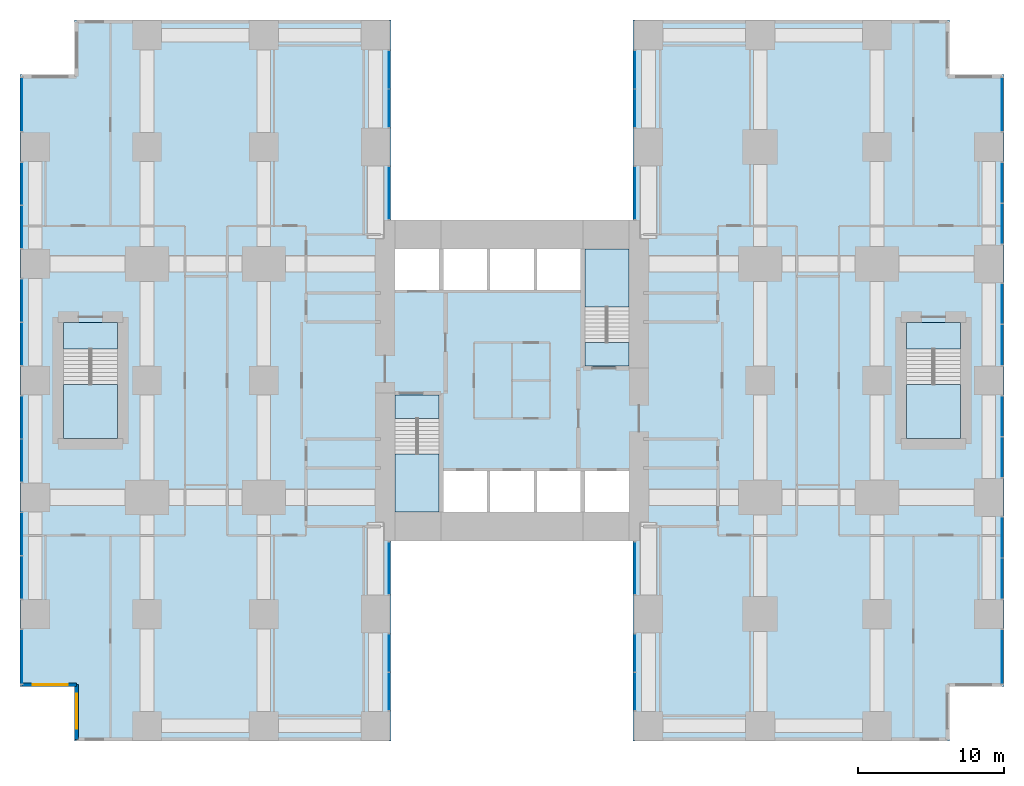
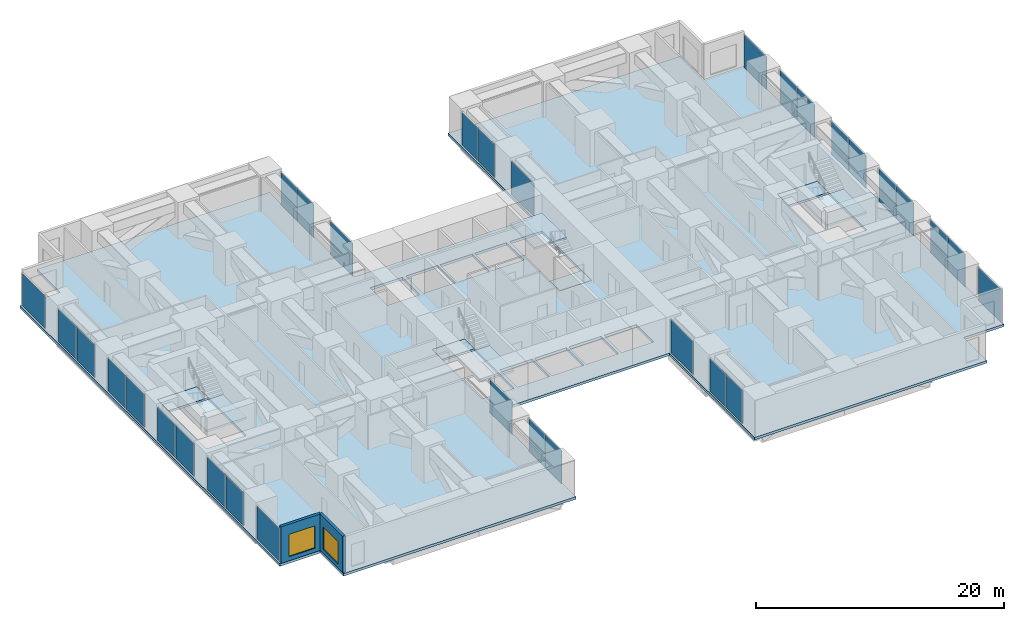
# One storey, part 9 of 15: 32 plates, 9 slabs, 2 walls, 2 windows, 2 openings, 24 elements without a shape of their own.
"""IFC4 building model written with IfcOpenShell, lengths in metres."""

from ifc_helpers import new_model, si_unit, direction, frame, frame_2d, origin, origin_2d, place, context, subcontext, project, spatial, polyline, rectangle, outline, extrude, material, layer, layer_set, type_object, element, fill, aggregate, save


model = new_model("IFC4")

# Units and contexts
model_context = context("Model", 3, precision=1e-05, world=origin(), true_north=direction((0.0, 1.0)))
body_context = subcontext(model_context, "Body", "Model", "MODEL_VIEW")
ifc_project = project(units=[si_unit("LENGTHUNIT", "METRE"), si_unit("AREAUNIT", "SQUARE_METRE"), si_unit("VOLUMEUNIT", "CUBIC_METRE"), si_unit("PLANEANGLEUNIT", "RADIAN"), si_unit("MASSUNIT", "GRAM", prefix="KILO")], contexts=[model_context])

# Site, building, storey
site_placement = place(None, origin())
site = spatial("IfcSite", under=ifc_project, at=site_placement, CompositionType="ELEMENT")
building_placement = place(site_placement, origin())
building = spatial("IfcBuilding", under=site, at=building_placement, Name="Cleftline Residences", CompositionType="ELEMENT")
storey_placement = place(building_placement, frame((0.0, 0.0, 132.199951171875)))
storey = spatial("IfcBuildingStorey", under=building, at=storey_placement, Name="L34", CompositionType="ELEMENT", Elevation=132.199951171875)

# Curtain wall, plates
ifc_material_1 = material(Name="Aluminium framed curtain wall", Category="aluminium")
ifc_layer_1 = layer(ifc_material_1, 0.199951171875)
ifc_layer_set_1 = layer_set([ifc_layer_1], Name="CW1 CLEFT GLAZING")
curtain_wall_type_1 = type_object("IfcCurtainWallType", Name="CW1 CLEFT GLAZING", PredefinedType="NOTDEFINED", material=ifc_layer_set_1)
curtain_wall_1_placement = place(storey_placement, origin())
curtain_wall_1 = element("IfcCurtainWall", 1, at=curtain_wall_1_placement, inside=storey, type_object=curtain_wall_type_1, Name="Curtain wall CW1", PredefinedType="NOTDEFINED")
ifc_material_2 = material(Name="Insulated aluminium panel", Category="aluminium")
ifc_layer_2 = layer(ifc_material_2, 0.028076171875)
ifc_layer_set_2 = layer_set([ifc_layer_2], Name="CW1 INSULATED PANEL")
plate_type_1 = type_object("IfcPlateType", Name="CW1 INSULATED PANEL", PredefinedType="USERDEFINED", material=ifc_layer_set_2)
plate_1_placement = place(storey_placement, frame((24.574951171875, 2.702392578125, 0.06005859375), z_axis=(0.0, 0.0, 1.0), x_axis=(0.0, 1.0, 0.0)))
plate_1 = element("IfcPlate", 2, at=plate_1_placement, type_object=plate_type_1, Name="CW1 panel 1.1", ObjectType="INSULATED PANEL", PredefinedType="USERDEFINED", context=body_context, shape_type="SweptSolid", body=[
    extrude(rectangle(XDim=2.5849609375, YDim=0.028076171875, at=origin_2d()), origin(), (0.0, 0.0, 1.0), 3.22998046875),
])
plate_2_placement = place(storey_placement, frame((24.574951171875, 5.347412109375, 0.06005859375), z_axis=(0.0, 0.0, 1.0), x_axis=(0.0, 1.0, 0.0)))
plate_2 = element("IfcPlate", 3, at=plate_2_placement, type_object=plate_type_1, Name="CW1 panel 2.1", ObjectType="INSULATED PANEL", PredefinedType="USERDEFINED", context=body_context, shape_type="SweptSolid", body=[
    extrude(rectangle(XDim=2.5849609375, YDim=0.028076171875, at=origin_2d()), origin(), (0.0, 0.0, 1.0), 3.22998046875),
])
aggregate(curtain_wall_1, [plate_1, plate_2])

# Curtain wall, plate
curtain_wall_2_placement = place(storey_placement, origin())
curtain_wall_2 = element("IfcCurtainWall", 4, at=curtain_wall_2_placement, inside=storey, type_object=curtain_wall_type_1, Name="Curtain wall CW1", PredefinedType="NOTDEFINED")
plate_3_placement = place(storey_placement, frame((24.574951171875, 11.14990234375, 0.06005859375), z_axis=(0.0, 0.0, 1.0), x_axis=(0.0, 1.0, 0.0)))
plate_3 = element("IfcPlate", 5, at=plate_3_placement, type_object=plate_type_1, Name="CW1 panel 1.1", ObjectType="INSULATED PANEL", PredefinedType="USERDEFINED", context=body_context, shape_type="SweptSolid", body=[
    extrude(rectangle(XDim=3.580078125, YDim=0.028076171875, at=origin_2d()), origin(), (0.0, 0.0, 1.0), 3.22998046875),
])
aggregate(curtain_wall_2, [plate_3])

curtain_wall_3_placement = place(storey_placement, origin())
curtain_wall_3 = element("IfcCurtainWall", 6, at=curtain_wall_3_placement, inside=storey, type_object=curtain_wall_type_1, Name="Curtain wall CW1", PredefinedType="NOTDEFINED")
plate_4_placement = place(storey_placement, frame((41.425048828125, 11.14990234375, 0.06005859375), z_axis=(0.0, 0.0, 1.0), x_axis=(0.0, -1.0, 0.0)))
plate_4 = element("IfcPlate", 7, at=plate_4_placement, type_object=plate_type_1, Name="CW1 panel 1.1", ObjectType="INSULATED PANEL", PredefinedType="USERDEFINED", context=body_context, shape_type="SweptSolid", body=[
    extrude(rectangle(XDim=3.580078125, YDim=0.028076171875, at=origin_2d()), origin(), (0.0, 0.0, 1.0), 3.22998046875),
])
aggregate(curtain_wall_3, [plate_4])

# Curtain wall, plates
curtain_wall_4_placement = place(storey_placement, origin())
curtain_wall_4 = element("IfcCurtainWall", 8, at=curtain_wall_4_placement, inside=storey, type_object=curtain_wall_type_1, Name="Curtain wall CW1", PredefinedType="NOTDEFINED")
plate_5_placement = place(storey_placement, frame((41.425048828125, 5.347412109375, 0.06005859375), z_axis=(0.0, 0.0, 1.0), x_axis=(0.0, -1.0, 0.0)))
plate_5 = element("IfcPlate", 9, at=plate_5_placement, type_object=plate_type_1, Name="CW1 panel 1.1", ObjectType="INSULATED PANEL", PredefinedType="USERDEFINED", context=body_context, shape_type="SweptSolid", body=[
    extrude(rectangle(XDim=2.5849609375, YDim=0.028076171875, at=origin_2d()), origin(), (0.0, 0.0, 1.0), 3.22998046875),
])
plate_6_placement = place(storey_placement, frame((41.425048828125, 2.702392578125, 0.06005859375), z_axis=(0.0, 0.0, 1.0), x_axis=(0.0, -1.0, 0.0)))
plate_6 = element("IfcPlate", 10, at=plate_6_placement, type_object=plate_type_1, Name="CW1 panel 2.1", ObjectType="INSULATED PANEL", PredefinedType="USERDEFINED", context=body_context, shape_type="SweptSolid", body=[
    extrude(rectangle(XDim=2.5849609375, YDim=0.028076171875, at=origin_2d()), origin(), (0.0, 0.0, 1.0), 3.22998046875),
])
aggregate(curtain_wall_4, [plate_5, plate_6])

curtain_wall_5_placement = place(storey_placement, origin())
curtain_wall_5 = element("IfcCurtainWall", 11, at=curtain_wall_5_placement, inside=storey, type_object=curtain_wall_type_1, Name="Curtain wall CW1", PredefinedType="NOTDEFINED")
plate_7_placement = place(storey_placement, frame((41.425048828125, 45.297607421875, 0.06005859375), z_axis=(0.0, 0.0, 1.0), x_axis=(0.0, -1.0, 0.0)))
plate_7 = element("IfcPlate", 12, at=plate_7_placement, type_object=plate_type_1, Name="CW1 panel 1.1", ObjectType="INSULATED PANEL", PredefinedType="USERDEFINED", context=body_context, shape_type="SweptSolid", body=[
    extrude(rectangle(XDim=2.5849609375, YDim=0.028076171875, at=origin_2d()), origin(), (0.0, 0.0, 1.0), 3.22998046875),
])
plate_8_placement = place(storey_placement, frame((41.425048828125, 42.652587890625, 0.06005859375), z_axis=(0.0, 0.0, 1.0), x_axis=(0.0, -1.0, 0.0)))
plate_8 = element("IfcPlate", 13, at=plate_8_placement, type_object=plate_type_1, Name="CW1 panel 2.1", ObjectType="INSULATED PANEL", PredefinedType="USERDEFINED", context=body_context, shape_type="SweptSolid", body=[
    extrude(rectangle(XDim=2.5849609375, YDim=0.028076171875, at=origin_2d()), origin(), (0.0, 0.0, 1.0), 3.22998046875),
])
aggregate(curtain_wall_5, [plate_7, plate_8])

# Curtain wall, plate
curtain_wall_6_placement = place(storey_placement, origin())
curtain_wall_6 = element("IfcCurtainWall", 14, at=curtain_wall_6_placement, inside=storey, type_object=curtain_wall_type_1, Name="Curtain wall CW1", PredefinedType="NOTDEFINED")
plate_9_placement = place(storey_placement, frame((41.425048828125, 36.85009765625, 0.06005859375), z_axis=(0.0, 0.0, 1.0), x_axis=(0.0, -1.0, 0.0)))
plate_9 = element("IfcPlate", 15, at=plate_9_placement, type_object=plate_type_1, Name="CW1 panel 1.1", ObjectType="INSULATED PANEL", PredefinedType="USERDEFINED", context=body_context, shape_type="SweptSolid", body=[
    extrude(rectangle(XDim=3.580078125, YDim=0.028076171875, at=origin_2d()), origin(), (0.0, 0.0, 1.0), 3.22998046875),
])
aggregate(curtain_wall_6, [plate_9])

curtain_wall_7_placement = place(storey_placement, origin())
curtain_wall_7 = element("IfcCurtainWall", 16, at=curtain_wall_7_placement, inside=storey, type_object=curtain_wall_type_1, Name="Curtain wall CW1", PredefinedType="NOTDEFINED")
plate_10_placement = place(storey_placement, frame((24.574951171875, 36.85009765625, 0.06005859375), z_axis=(0.0, 0.0, 1.0), x_axis=(0.0, 1.0, 0.0)))
plate_10 = element("IfcPlate", 17, at=plate_10_placement, type_object=plate_type_1, Name="CW1 panel 1.1", ObjectType="INSULATED PANEL", PredefinedType="USERDEFINED", context=body_context, shape_type="SweptSolid", body=[
    extrude(rectangle(XDim=3.580078125, YDim=0.028076171875, at=origin_2d()), origin(), (0.0, 0.0, 1.0), 3.22998046875),
])
aggregate(curtain_wall_7, [plate_10])

# Curtain wall, plates
curtain_wall_8_placement = place(storey_placement, origin())
curtain_wall_8 = element("IfcCurtainWall", 18, at=curtain_wall_8_placement, inside=storey, type_object=curtain_wall_type_1, Name="Curtain wall CW1", PredefinedType="NOTDEFINED")
plate_11_placement = place(storey_placement, frame((24.574951171875, 42.652587890625, 0.06005859375), z_axis=(0.0, 0.0, 1.0), x_axis=(0.0, 1.0, 0.0)))
plate_11 = element("IfcPlate", 19, at=plate_11_placement, type_object=plate_type_1, Name="CW1 panel 1.1", ObjectType="INSULATED PANEL", PredefinedType="USERDEFINED", context=body_context, shape_type="SweptSolid", body=[
    extrude(rectangle(XDim=2.5849609375, YDim=0.028076171875, at=origin_2d()), origin(), (0.0, 0.0, 1.0), 3.22998046875),
])
plate_12_placement = place(storey_placement, frame((24.574951171875, 45.297607421875, 0.06005859375), z_axis=(0.0, 0.0, 1.0), x_axis=(0.0, 1.0, 0.0)))
plate_12 = element("IfcPlate", 20, at=plate_12_placement, type_object=plate_type_1, Name="CW1 panel 2.1", ObjectType="INSULATED PANEL", PredefinedType="USERDEFINED", context=body_context, shape_type="SweptSolid", body=[
    extrude(rectangle(XDim=2.5849609375, YDim=0.028076171875, at=origin_2d()), origin(), (0.0, 0.0, 1.0), 3.22998046875),
])
aggregate(curtain_wall_8, [plate_11, plate_12])

# Curtain wall, plate
ifc_material_3 = material(Name="Aluminium framed curtain wall", Category="aluminium")
ifc_layer_3 = layer(ifc_material_3, 0.199951171875)
ifc_layer_set_3 = layer_set([ifc_layer_3], Name="CW4 SKY LOUNGE GLAZING")
curtain_wall_type_2 = type_object("IfcCurtainWallType", Name="CW4 SKY LOUNGE GLAZING", PredefinedType="NOTDEFINED", material=ifc_layer_set_3)
curtain_wall_9_placement = place(storey_placement, origin())
curtain_wall_9 = element("IfcCurtainWall", 21, at=curtain_wall_9_placement, inside=storey, type_object=curtain_wall_type_2, Name="Curtain wall CW4", PredefinedType="NOTDEFINED")
ifc_material_4 = material(Name="Laminated clear glass", Category="glass")
ifc_layer_4 = layer(ifc_material_4, 0.028076171875)
ifc_layer_set_4 = layer_set([ifc_layer_4], Name="CW4 GLASS PANEL")
plate_type_2 = type_object("IfcPlateType", Name="CW4 GLASS PANEL", PredefinedType="CURTAIN_PANEL", material=ifc_layer_set_4)
plate_13_placement = place(storey_placement, frame((66.574951171875, 5.08740234375, 0.06494140625), z_axis=(0.0, 0.0, 1.0), x_axis=(0.0, 1.0, 0.0)))
plate_13 = element("IfcPlate", 22, at=plate_13_placement, type_object=plate_type_2, Name="CW4 panel 1.1", PredefinedType="CURTAIN_PANEL", context=body_context, shape_type="SweptSolid", body=[
    extrude(rectangle(XDim=3.695068359375, YDim=0.028076171875, at=origin_2d()), origin(), (0.0, 0.0, 1.0), 3.219970703125),
])
aggregate(curtain_wall_9, [plate_13])

curtain_wall_10_placement = place(storey_placement, origin())
curtain_wall_10 = element("IfcCurtainWall", 23, at=curtain_wall_10_placement, inside=storey, type_object=curtain_wall_type_2, Name="Curtain wall CW4", PredefinedType="NOTDEFINED")
plate_14_placement = place(storey_placement, frame((66.574951171875, 42.91259765625, 0.06494140625), z_axis=(0.0, 0.0, 1.0), x_axis=(0.0, 1.0, 0.0)))
plate_14 = element("IfcPlate", 24, at=plate_14_placement, type_object=plate_type_2, Name="CW4 panel 1.1", PredefinedType="CURTAIN_PANEL", context=body_context, shape_type="SweptSolid", body=[
    extrude(rectangle(XDim=3.695068359375, YDim=0.028076171875, at=origin_2d()), origin(), (0.0, 0.0, 1.0), 3.219970703125),
])
aggregate(curtain_wall_10, [plate_14])

curtain_wall_11_placement = place(storey_placement, origin())
curtain_wall_11 = element("IfcCurtainWall", 25, at=curtain_wall_11_placement, inside=storey, type_object=curtain_wall_type_2, Name="Curtain wall CW4", PredefinedType="NOTDEFINED")
plate_15_placement = place(storey_placement, frame((-0.574951171875, 42.91259765625, 0.06494140625), z_axis=(0.0, 0.0, 1.0), x_axis=(0.0, -1.0, 0.0)))
plate_15 = element("IfcPlate", 26, at=plate_15_placement, type_object=plate_type_2, Name="CW4 panel 1.1", PredefinedType="CURTAIN_PANEL", context=body_context, shape_type="SweptSolid", body=[
    extrude(rectangle(XDim=3.695068359375, YDim=0.028076171875, at=origin_2d()), origin(), (0.0, 0.0, 1.0), 3.219970703125),
])
aggregate(curtain_wall_11, [plate_15])

curtain_wall_12_placement = place(storey_placement, origin())
curtain_wall_12 = element("IfcCurtainWall", 27, at=curtain_wall_12_placement, inside=storey, type_object=curtain_wall_type_2, Name="Curtain wall CW4", PredefinedType="NOTDEFINED")
plate_16_placement = place(storey_placement, frame((-0.574951171875, 5.08740234375, 0.06494140625), z_axis=(0.0, 0.0, 1.0), x_axis=(0.0, -1.0, 0.0)))
plate_16 = element("IfcPlate", 28, at=plate_16_placement, type_object=plate_type_2, Name="CW4 panel 1.1", PredefinedType="CURTAIN_PANEL", context=body_context, shape_type="SweptSolid", body=[
    extrude(rectangle(XDim=3.695068359375, YDim=0.028076171875, at=origin_2d()), origin(), (0.0, 0.0, 1.0), 3.219970703125),
])
aggregate(curtain_wall_12, [plate_16])

# Curtain wall, plates
curtain_wall_13_placement = place(storey_placement, origin())
curtain_wall_13 = element("IfcCurtainWall", 29, at=curtain_wall_13_placement, inside=storey, type_object=curtain_wall_type_2, Name="Curtain wall CW4", PredefinedType="NOTDEFINED")
ifc_material_5 = material(Name="Insulated aluminium panel", Category="aluminium")
ifc_layer_5 = layer(ifc_material_5, 0.028076171875)
ifc_layer_set_5 = layer_set([ifc_layer_5], Name="CW4 INSULATED PANEL")
plate_type_3 = type_object("IfcPlateType", Name="CW4 INSULATED PANEL", PredefinedType="USERDEFINED", material=ifc_layer_set_5)
plate_17_placement = place(storey_placement, frame((66.574951171875, 10.441162109375, 0.06494140625), z_axis=(0.0, 0.0, 1.0), x_axis=(0.0, 1.0, 0.0)))
plate_17 = element("IfcPlate", 30, at=plate_17_placement, type_object=plate_type_3, Name="CW4 panel 1.1", ObjectType="INSULATED PANEL", PredefinedType="USERDEFINED", context=body_context, shape_type="SweptSolid", body=[
    extrude(rectangle(XDim=2.75244140625, YDim=0.028076171875, at=origin_2d()), origin(), (0.0, 0.0, 1.0), 3.219970703125),
])
plate_18_placement = place(storey_placement, frame((66.574951171875, 13.2587890625, 0.06494140625), z_axis=(0.0, 0.0, 1.0), x_axis=(0.0, 1.0, 0.0)))
plate_18 = element("IfcPlate", 31, at=plate_18_placement, type_object=plate_type_3, Name="CW4 panel 2.1", ObjectType="INSULATED PANEL", PredefinedType="USERDEFINED", context=body_context, shape_type="SweptSolid", body=[
    extrude(rectangle(XDim=2.75244140625, YDim=0.028076171875, at=origin_2d()), origin(), (0.0, 0.0, 1.0), 3.219970703125),
])
aggregate(curtain_wall_13, [plate_17, plate_18])

curtain_wall_14_placement = place(storey_placement, origin())
curtain_wall_14 = element("IfcCurtainWall", 32, at=curtain_wall_14_placement, inside=storey, type_object=curtain_wall_type_2, Name="Curtain wall CW4", PredefinedType="NOTDEFINED")
plate_19_placement = place(storey_placement, frame((66.574951171875, 18.7412109375, 0.06494140625), z_axis=(0.0, 0.0, 1.0), x_axis=(0.0, 1.0, 0.0)))
plate_19 = element("IfcPlate", 33, at=plate_19_placement, type_object=plate_type_3, Name="CW4 panel 1.1", ObjectType="INSULATED PANEL", PredefinedType="USERDEFINED", context=body_context, shape_type="SweptSolid", body=[
    extrude(rectangle(XDim=2.75244140625, YDim=0.028076171875, at=origin_2d()), origin(), (0.0, 0.0, 1.0), 3.219970703125),
])
plate_20_placement = place(storey_placement, frame((66.574951171875, 21.558837890625, 0.06494140625), z_axis=(0.0, 0.0, 1.0), x_axis=(0.0, 1.0, 0.0)))
plate_20 = element("IfcPlate", 34, at=plate_20_placement, type_object=plate_type_3, Name="CW4 panel 2.1", ObjectType="INSULATED PANEL", PredefinedType="USERDEFINED", context=body_context, shape_type="SweptSolid", body=[
    extrude(rectangle(XDim=2.75244140625, YDim=0.028076171875, at=origin_2d()), origin(), (0.0, 0.0, 1.0), 3.219970703125),
])
aggregate(curtain_wall_14, [plate_19, plate_20])

curtain_wall_15_placement = place(storey_placement, origin())
curtain_wall_15 = element("IfcCurtainWall", 35, at=curtain_wall_15_placement, inside=storey, type_object=curtain_wall_type_2, Name="Curtain wall CW4", PredefinedType="NOTDEFINED")
plate_21_placement = place(storey_placement, frame((66.574951171875, 26.441162109375, 0.06494140625), z_axis=(0.0, 0.0, 1.0), x_axis=(0.0, 1.0, 0.0)))
plate_21 = element("IfcPlate", 36, at=plate_21_placement, type_object=plate_type_3, Name="CW4 panel 1.1", ObjectType="INSULATED PANEL", PredefinedType="USERDEFINED", context=body_context, shape_type="SweptSolid", body=[
    extrude(rectangle(XDim=2.75244140625, YDim=0.028076171875, at=origin_2d()), origin(), (0.0, 0.0, 1.0), 3.219970703125),
])
plate_22_placement = place(storey_placement, frame((66.574951171875, 29.2587890625, 0.06494140625), z_axis=(0.0, 0.0, 1.0), x_axis=(0.0, 1.0, 0.0)))
plate_22 = element("IfcPlate", 37, at=plate_22_placement, type_object=plate_type_3, Name="CW4 panel 2.1", ObjectType="INSULATED PANEL", PredefinedType="USERDEFINED", context=body_context, shape_type="SweptSolid", body=[
    extrude(rectangle(XDim=2.75244140625, YDim=0.028076171875, at=origin_2d()), origin(), (0.0, 0.0, 1.0), 3.219970703125),
])
aggregate(curtain_wall_15, [plate_21, plate_22])

curtain_wall_16_placement = place(storey_placement, origin())
curtain_wall_16 = element("IfcCurtainWall", 38, at=curtain_wall_16_placement, inside=storey, type_object=curtain_wall_type_2, Name="Curtain wall CW4", PredefinedType="NOTDEFINED")
plate_23_placement = place(storey_placement, frame((66.574951171875, 34.7412109375, 0.06494140625), z_axis=(0.0, 0.0, 1.0), x_axis=(0.0, 1.0, 0.0)))
plate_23 = element("IfcPlate", 39, at=plate_23_placement, type_object=plate_type_3, Name="CW4 panel 1.1", ObjectType="INSULATED PANEL", PredefinedType="USERDEFINED", context=body_context, shape_type="SweptSolid", body=[
    extrude(rectangle(XDim=2.75244140625, YDim=0.028076171875, at=origin_2d()), origin(), (0.0, 0.0, 1.0), 3.219970703125),
])
plate_24_placement = place(storey_placement, frame((66.574951171875, 37.558837890625, 0.06494140625), z_axis=(0.0, 0.0, 1.0), x_axis=(0.0, 1.0, 0.0)))
plate_24 = element("IfcPlate", 40, at=plate_24_placement, type_object=plate_type_3, Name="CW4 panel 2.1", ObjectType="INSULATED PANEL", PredefinedType="USERDEFINED", context=body_context, shape_type="SweptSolid", body=[
    extrude(rectangle(XDim=2.75244140625, YDim=0.028076171875, at=origin_2d()), origin(), (0.0, 0.0, 1.0), 3.219970703125),
])
aggregate(curtain_wall_16, [plate_23, plate_24])

curtain_wall_17_placement = place(storey_placement, origin())
curtain_wall_17 = element("IfcCurtainWall", 41, at=curtain_wall_17_placement, inside=storey, type_object=curtain_wall_type_2, Name="Curtain wall CW4", PredefinedType="NOTDEFINED")
plate_25_placement = place(storey_placement, frame((-0.574951171875, 37.483642578125, 0.06494140625), z_axis=(0.0, 0.0, 1.0), x_axis=(0.0, -1.0, 0.0)))
plate_25 = element("IfcPlate", 42, at=plate_25_placement, type_object=plate_type_3, Name="CW4 panel 1.1", ObjectType="INSULATED PANEL", PredefinedType="USERDEFINED", context=body_context, shape_type="SweptSolid", body=[
    extrude(rectangle(XDim=2.902587890625, YDim=0.028076171875, at=origin_2d()), origin(), (0.0, 0.0, 1.0), 3.219970703125),
])
plate_26_placement = place(storey_placement, frame((-0.574951171875, 34.516357421875, 0.06494140625), z_axis=(0.0, 0.0, 1.0), x_axis=(0.0, -1.0, 0.0)))
plate_26 = element("IfcPlate", 43, at=plate_26_placement, type_object=plate_type_3, Name="CW4 panel 2.1", ObjectType="INSULATED PANEL", PredefinedType="USERDEFINED", context=body_context, shape_type="SweptSolid", body=[
    extrude(rectangle(XDim=2.902587890625, YDim=0.028076171875, at=origin_2d()), origin(), (0.0, 0.0, 1.0), 3.219970703125),
])
aggregate(curtain_wall_17, [plate_25, plate_26])

curtain_wall_18_placement = place(storey_placement, origin())
curtain_wall_18 = element("IfcCurtainWall", 44, at=curtain_wall_18_placement, inside=storey, type_object=curtain_wall_type_2, Name="Curtain wall CW4", PredefinedType="NOTDEFINED")
plate_27_placement = place(storey_placement, frame((-0.574951171875, 29.483642578125, 0.06494140625), z_axis=(0.0, 0.0, 1.0), x_axis=(0.0, -1.0, 0.0)))
plate_27 = element("IfcPlate", 45, at=plate_27_placement, type_object=plate_type_3, Name="CW4 panel 1.1", ObjectType="INSULATED PANEL", PredefinedType="USERDEFINED", context=body_context, shape_type="SweptSolid", body=[
    extrude(rectangle(XDim=2.902587890625, YDim=0.028076171875, at=origin_2d()), origin(), (0.0, 0.0, 1.0), 3.219970703125),
])
plate_28_placement = place(storey_placement, frame((-0.574951171875, 26.516357421875, 0.06494140625), z_axis=(0.0, 0.0, 1.0), x_axis=(0.0, -1.0, 0.0)))
plate_28 = element("IfcPlate", 46, at=plate_28_placement, type_object=plate_type_3, Name="CW4 panel 2.1", ObjectType="INSULATED PANEL", PredefinedType="USERDEFINED", context=body_context, shape_type="SweptSolid", body=[
    extrude(rectangle(XDim=2.902587890625, YDim=0.028076171875, at=origin_2d()), origin(), (0.0, 0.0, 1.0), 3.219970703125),
])
aggregate(curtain_wall_18, [plate_27, plate_28])

curtain_wall_19_placement = place(storey_placement, origin())
curtain_wall_19 = element("IfcCurtainWall", 47, at=curtain_wall_19_placement, inside=storey, type_object=curtain_wall_type_2, Name="Curtain wall CW4", PredefinedType="NOTDEFINED")
plate_29_placement = place(storey_placement, frame((-0.574951171875, 21.483642578125, 0.06494140625), z_axis=(0.0, 0.0, 1.0), x_axis=(0.0, -1.0, 0.0)))
plate_29 = element("IfcPlate", 48, at=plate_29_placement, type_object=plate_type_3, Name="CW4 panel 1.1", ObjectType="INSULATED PANEL", PredefinedType="USERDEFINED", context=body_context, shape_type="SweptSolid", body=[
    extrude(rectangle(XDim=2.902587890625, YDim=0.028076171875, at=origin_2d()), origin(), (0.0, 0.0, 1.0), 3.219970703125),
])
plate_30_placement = place(storey_placement, frame((-0.574951171875, 18.516357421875, 0.06494140625), z_axis=(0.0, 0.0, 1.0), x_axis=(0.0, -1.0, 0.0)))
plate_30 = element("IfcPlate", 49, at=plate_30_placement, type_object=plate_type_3, Name="CW4 panel 2.1", ObjectType="INSULATED PANEL", PredefinedType="USERDEFINED", context=body_context, shape_type="SweptSolid", body=[
    extrude(rectangle(XDim=2.902587890625, YDim=0.028076171875, at=origin_2d()), origin(), (0.0, 0.0, 1.0), 3.219970703125),
])
aggregate(curtain_wall_19, [plate_29, plate_30])

curtain_wall_20_placement = place(storey_placement, origin())
curtain_wall_20 = element("IfcCurtainWall", 50, at=curtain_wall_20_placement, inside=storey, type_object=curtain_wall_type_2, Name="Curtain wall CW4", PredefinedType="NOTDEFINED")
plate_31_placement = place(storey_placement, frame((-0.574951171875, 13.483642578125, 0.06494140625), z_axis=(0.0, 0.0, 1.0), x_axis=(0.0, -1.0, 0.0)))
plate_31 = element("IfcPlate", 51, at=plate_31_placement, type_object=plate_type_3, Name="CW4 panel 1.1", ObjectType="INSULATED PANEL", PredefinedType="USERDEFINED", context=body_context, shape_type="SweptSolid", body=[
    extrude(rectangle(XDim=2.902587890625, YDim=0.028076171875, at=origin_2d()), origin(), (0.0, 0.0, 1.0), 3.219970703125),
])
plate_32_placement = place(storey_placement, frame((-0.574951171875, 10.516357421875, 0.06494140625), z_axis=(0.0, 0.0, 1.0), x_axis=(0.0, -1.0, 0.0)))
plate_32 = element("IfcPlate", 52, at=plate_32_placement, type_object=plate_type_3, Name="CW4 panel 2.1", ObjectType="INSULATED PANEL", PredefinedType="USERDEFINED", context=body_context, shape_type="SweptSolid", body=[
    extrude(rectangle(XDim=2.902587890625, YDim=0.028076171875, at=origin_2d()), origin(), (0.0, 0.0, 1.0), 3.219970703125),
])
aggregate(curtain_wall_20, [plate_31, plate_32])

# Slab
ifc_material_6 = material(Name="Concrete B45", Category="concrete")
ifc_layer_6 = layer(ifc_material_6, 0.25)
ifc_layer_set_6 = layer_set([ifc_layer_6], Name="FLOOR SLAB 250")
slab_type_1 = type_object("IfcSlabType", Name="FLOOR SLAB 250", PredefinedType="FLOOR", material=ifc_layer_set_6)
slab_1_placement = place(storey_placement, frame((0.0, 0.0, -0.25)))
element("IfcSlab", 53, at=slab_1_placement, inside=storey, type_object=slab_type_1, Name="Floor slab L34", PredefinedType="FLOOR", context=body_context, shape_type="SweptSolid", body=[
    extrude(outline(polyline([(24.699951171875, 13.0), (41.300048828125, 13.0), (41.300048828125, -0.699951171875), (62.949951171875, -0.699951171875), (62.949951171875, 3.050048828125), (66.699951171875, 3.050048828125), (66.699951171875, 44.949951171875), (62.949951171875, 44.949951171875), (62.949951171875, 48.699951171875), (41.300048828125, 48.699951171875), (41.300048828125, 35.0), (24.699951171875, 35.0), (24.699951171875, 48.699951171875), (3.050048828125, 48.699951171875), (3.050048828125, 44.949951171875), (-0.699951171875, 44.949951171875), (-0.699951171875, 3.050048828125), (3.050048828125, 3.050048828125), (3.050048828125, -0.699951171875), (24.699951171875, -0.699951171875), (24.699951171875, 13.0)]), holes=[polyline([(28.0, 15.0), (28.0, 23.0), (25.0, 23.0), (25.0, 15.0), (28.0, 15.0)]), polyline([(41.0, 25.0), (41.0, 33.0), (38.0, 33.0), (38.0, 25.0), (41.0, 25.0)]), polyline([(28.0, 30.199951171875), (28.0, 33.0), (25.0, 33.0), (25.0, 30.199951171875), (28.0, 30.199951171875)]), polyline([(41.0, 15.0), (41.0, 17.800048828125), (38.0, 17.800048828125), (38.0, 15.0), (41.0, 15.0)]), polyline([(31.300048828125, 15.0), (31.300048828125, 17.800048828125), (28.300048828125, 17.800048828125), (28.300048828125, 15.0), (31.300048828125, 15.0)]), polyline([(34.5, 15.0), (34.5, 17.800048828125), (31.5, 17.800048828125), (31.5, 15.0), (34.5, 15.0)]), polyline([(37.699951171875, 15.0), (37.699951171875, 17.800048828125), (34.699951171875, 17.800048828125), (34.699951171875, 15.0), (37.699951171875, 15.0)]), polyline([(31.300048828125, 30.199951171875), (31.300048828125, 33.0), (28.300048828125, 33.0), (28.300048828125, 30.199951171875), (31.300048828125, 30.199951171875)]), polyline([(34.5, 30.199951171875), (34.5, 33.0), (31.5, 33.0), (31.5, 30.199951171875), (34.5, 30.199951171875)]), polyline([(37.699951171875, 30.199951171875), (37.699951171875, 33.0), (34.699951171875, 33.0), (34.699951171875, 30.199951171875), (37.699951171875, 30.199951171875)]), polyline([(63.72509765625, 20.02490234375), (63.72509765625, 27.97509765625), (60.02490234375, 27.97509765625), (60.02490234375, 20.02490234375), (63.72509765625, 20.02490234375)]), polyline([(5.97509765625, 20.02490234375), (5.97509765625, 27.97509765625), (2.27490234375, 27.97509765625), (2.27490234375, 20.02490234375), (5.97509765625, 20.02490234375)])]), origin(), (0.0, 0.0, 1.0), 0.25),
])

# Stair, slabs
ifc_material_7 = material(Name="Concrete B45, stone treads", Category="masonry")
stair_type_1 = type_object("IfcStairType", Name="STAIR A 1450 WIDE 180 RISER", PredefinedType="HALF_TURN_STAIR", material=ifc_material_7)
stair_1_placement = place(storey_placement, origin())
stair_1 = element("IfcStair", 54, at=stair_1_placement, inside=storey, type_object=stair_type_1, Name="Stair A L34", PredefinedType="HALF_TURN_STAIR")
ifc_material_8 = material(Name="Concrete B45", Category="concrete")
ifc_layer_7 = layer(ifc_material_8, 0.199951171875)
ifc_layer_set_7 = layer_set([ifc_layer_7], Name="STAIR LANDING 200")
slab_type_2 = type_object("IfcSlabType", Name="STAIR LANDING 200", PredefinedType="LANDING", material=ifc_layer_set_7)
slab_2_placement = place(storey_placement, frame((0.0, 0.0, -0.199951171875)))
slab_2 = element("IfcSlab", 55, at=slab_2_placement, type_object=slab_type_2, Name="ST-A landing 1", PredefinedType="LANDING", context=body_context, shape_type="SweptSolid", body=[
    extrude(outline(polyline([(25.0, 21.39990234375), (28.0, 21.39990234375), (28.0, 23.0), (25.0, 23.0), (25.0, 21.39990234375)])), origin(), (0.0, 0.0, 1.0), 0.199951171875),
])
slab_3_placement = place(storey_placement, frame((0.0, 0.0, 1.60009765625)))
slab_3 = element("IfcSlab", 56, at=slab_3_placement, type_object=slab_type_2, Name="ST-A landing 2", PredefinedType="LANDING", context=body_context, shape_type="SweptSolid", body=[
    extrude(outline(polyline([(25.0, 15.0), (28.0, 15.0), (28.0, 18.969970703125), (25.0, 18.969970703125), (25.0, 15.0)])), origin(), (0.0, 0.0, 1.0), 0.199951171875),
])
aggregate(stair_1, [slab_2, slab_3])

ifc_material_9 = material(Name="Concrete B45, stone treads", Category="masonry")
stair_type_2 = type_object("IfcStairType", Name="STAIR B 1450 WIDE 180 RISER", PredefinedType="HALF_TURN_STAIR", material=ifc_material_9)
stair_2_placement = place(storey_placement, origin())
stair_2 = element("IfcStair", 57, at=stair_2_placement, inside=storey, type_object=stair_type_2, Name="Stair B L34", PredefinedType="HALF_TURN_STAIR")
slab_4_placement = place(storey_placement, frame((0.0, 0.0, -0.199951171875)))
slab_4 = element("IfcSlab", 58, at=slab_4_placement, type_object=slab_type_2, Name="ST-B landing 1", PredefinedType="LANDING", context=body_context, shape_type="SweptSolid", body=[
    extrude(outline(polyline([(38.0, 25.0), (41.0, 25.0), (41.0, 26.60009765625), (38.0, 26.60009765625), (38.0, 25.0)])), origin(), (0.0, 0.0, 1.0), 0.199951171875),
])
slab_5_placement = place(storey_placement, frame((0.0, 0.0, 1.60009765625)))
slab_5 = element("IfcSlab", 59, at=slab_5_placement, type_object=slab_type_2, Name="ST-B landing 2", PredefinedType="LANDING", context=body_context, shape_type="SweptSolid", body=[
    extrude(outline(polyline([(38.0, 29.030029296875), (41.0, 29.030029296875), (41.0, 33.0), (38.0, 33.0), (38.0, 29.030029296875)])), origin(), (0.0, 0.0, 1.0), 0.199951171875),
])
aggregate(stair_2, [slab_4, slab_5])

ifc_material_10 = material(Name="Concrete B45, stone treads", Category="masonry")
stair_type_3 = type_object("IfcStairType", Name="STAIR E 1800 WIDE 180 RISER", PredefinedType="HALF_TURN_STAIR", material=ifc_material_10)
stair_3_placement = place(storey_placement, origin())
stair_3 = element("IfcStair", 60, at=stair_3_placement, inside=storey, type_object=stair_type_3, Name="Stair E L34", PredefinedType="HALF_TURN_STAIR")
slab_6_placement = place(storey_placement, frame((0.0, 0.0, -0.199951171875)))
slab_6 = element("IfcSlab", 61, at=slab_6_placement, type_object=slab_type_2, Name="ST-E landing 1", PredefinedType="LANDING", context=body_context, shape_type="SweptSolid", body=[
    extrude(outline(polyline([(60.02490234375, 26.175048828125), (63.72509765625, 26.175048828125), (63.72509765625, 27.97509765625), (60.02490234375, 27.97509765625), (60.02490234375, 26.175048828125)])), origin(), (0.0, 0.0, 1.0), 0.199951171875),
])
slab_7_placement = place(storey_placement, frame((0.0, 0.0, 1.60009765625)))
slab_7 = element("IfcSlab", 62, at=slab_7_placement, type_object=slab_type_2, Name="ST-E landing 2", PredefinedType="LANDING", context=body_context, shape_type="SweptSolid", body=[
    extrude(outline(polyline([(60.02490234375, 20.02490234375), (63.72509765625, 20.02490234375), (63.72509765625, 23.7451171875), (60.02490234375, 23.7451171875), (60.02490234375, 20.02490234375)])), origin(), (0.0, 0.0, 1.0), 0.199951171875),
])
aggregate(stair_3, [slab_6, slab_7])

ifc_material_11 = material(Name="Concrete B45, stone treads", Category="masonry")
stair_type_4 = type_object("IfcStairType", Name="STAIR W 1800 WIDE 180 RISER", PredefinedType="HALF_TURN_STAIR", material=ifc_material_11)
stair_4_placement = place(storey_placement, origin())
stair_4 = element("IfcStair", 63, at=stair_4_placement, inside=storey, type_object=stair_type_4, Name="Stair W L34", PredefinedType="HALF_TURN_STAIR")
slab_8_placement = place(storey_placement, frame((0.0, 0.0, -0.199951171875)))
slab_8 = element("IfcSlab", 64, at=slab_8_placement, type_object=slab_type_2, Name="ST-W landing 1", PredefinedType="LANDING", context=body_context, shape_type="SweptSolid", body=[
    extrude(outline(polyline([(2.27490234375, 26.175048828125), (5.97509765625, 26.175048828125), (5.97509765625, 27.97509765625), (2.27490234375, 27.97509765625), (2.27490234375, 26.175048828125)])), origin(), (0.0, 0.0, 1.0), 0.199951171875),
])
slab_9_placement = place(storey_placement, frame((0.0, 0.0, 1.60009765625)))
slab_9 = element("IfcSlab", 65, at=slab_9_placement, type_object=slab_type_2, Name="ST-W landing 2", PredefinedType="LANDING", context=body_context, shape_type="SweptSolid", body=[
    extrude(outline(polyline([(2.27490234375, 20.02490234375), (5.97509765625, 20.02490234375), (5.97509765625, 23.7451171875), (2.27490234375, 23.7451171875), (2.27490234375, 20.02490234375)])), origin(), (0.0, 0.0, 1.0), 0.199951171875),
])
aggregate(stair_4, [slab_8, slab_9])

# Wall, opening, window
ifc_material_12 = material(Name="Rendered reinforced concrete blockwork", Category="masonry")
ifc_layer_8 = layer(ifc_material_12, 0.25)
ifc_layer_set_8 = layer_set([ifc_layer_8], Name="EXTERNAL WALL 250")
wall_type = type_object("IfcWallType", Name="EXTERNAL WALL 250", PredefinedType="SOLIDWALL", material=ifc_layer_set_8)
wall_1_placement = place(storey_placement, frame((-0.574951171875, 3.175048828125, 0.0), z_axis=(0.0, 0.0, 1.0), x_axis=(1.0, 0.0, 0.0)))
wall_1 = element("IfcWall", 66, at=wall_1_placement, inside=storey, type_object=wall_type, Name="External wall", PredefinedType="SOLIDWALL", context=body_context, shape_type="SweptSolid", body=[
    extrude(rectangle(XDim=3.75, YDim=0.25, at=frame_2d((1.875, 0.0))), origin(), (0.0, 0.0, 1.0), 3.60009765625),
])
opening_1_placement = place(wall_1_placement, frame((0.737548828125, 0.0, 0.39990234375)))
opening_1 = element("IfcOpeningElement", 67, at=opening_1_placement, cuts=wall_1, Name="Opening W12", PredefinedType="OPENING", context=body_context, shape_type="SweptSolid", body=[
    extrude(rectangle(XDim=2.39990234375, YDim=2.199951171875, at=frame_2d((1.199951171875, 1.10009765625))), frame((0.0, 0.135009765625, 0.0), z_axis=(0.0, -1.0, 0.0), x_axis=(1.0, 0.0, 0.0)), (0.0, 0.0, 1.0), 0.27001953125),
])
ifc_material_13 = material(Name="Aluminium frame, clear double glazing", Category="aluminium")
window_type = type_object("IfcWindowType", Name="WINDOW 2400X2200", PartitioningType="DOUBLE_PANEL_VERTICAL", PredefinedType="WINDOW", material=ifc_material_13)
window_1_placement = place(opening_1_placement, origin())
window_1 = element("IfcWindow", 68, at=window_1_placement, inside=storey, type_object=window_type, Name="Window", OverallHeight=2.199951171875, OverallWidth=2.39990234375, PartitioningType="SINGLE_PANEL", PredefinedType="WINDOW", context=body_context, shape_type="SweptSolid", body=[
    extrude(rectangle(XDim=2.39990234375, YDim=2.199951171875, at=frame_2d((1.199951171875, 1.10009765625))), frame((0.0, 0.030029296875, 0.0), z_axis=(0.0, -1.0, 0.0), x_axis=(1.0, 0.0, 0.0)), (0.0, 0.0, 1.0), 0.06005859375),
])
fill(opening_1, window_1)

wall_2_placement = place(storey_placement, frame((3.175048828125, 3.175048828125, 0.0), z_axis=(0.0, 0.0, 1.0), x_axis=(0.0, -1.0, 0.0)))
wall_2 = element("IfcWall", 69, at=wall_2_placement, inside=storey, type_object=wall_type, Name="External wall", PredefinedType="SOLIDWALL", context=body_context, shape_type="SweptSolid", body=[
    extrude(rectangle(XDim=3.75, YDim=0.25, at=frame_2d((1.875, 0.0))), origin(), (0.0, 0.0, 1.0), 3.60009765625),
])
opening_2_placement = place(wall_2_placement, frame((0.612548828125, 0.0, 0.39990234375)))
opening_2 = element("IfcOpeningElement", 70, at=opening_2_placement, cuts=wall_2, Name="Opening W12", PredefinedType="OPENING", context=body_context, shape_type="SweptSolid", body=[
    extrude(rectangle(XDim=2.39990234375, YDim=2.199951171875, at=frame_2d((1.199951171875, 1.10009765625))), frame((0.0, 0.135009765625, 0.0), z_axis=(0.0, -1.0, 0.0), x_axis=(1.0, 0.0, 0.0)), (0.0, 0.0, 1.0), 0.27001953125),
])
window_2_placement = place(opening_2_placement, origin())
window_2 = element("IfcWindow", 71, at=window_2_placement, inside=storey, type_object=window_type, Name="Window", OverallHeight=2.199951171875, OverallWidth=2.39990234375, PartitioningType="SINGLE_PANEL", PredefinedType="WINDOW", context=body_context, shape_type="SweptSolid", body=[
    extrude(rectangle(XDim=2.39990234375, YDim=2.199951171875, at=frame_2d((1.199951171875, 1.10009765625))), frame((0.0, 0.030029296875, 0.0), z_axis=(0.0, -1.0, 0.0), x_axis=(1.0, 0.0, 0.0)), (0.0, 0.0, 1.0), 0.06005859375),
])
fill(opening_2, window_2)

save(model, "model.ifc")
